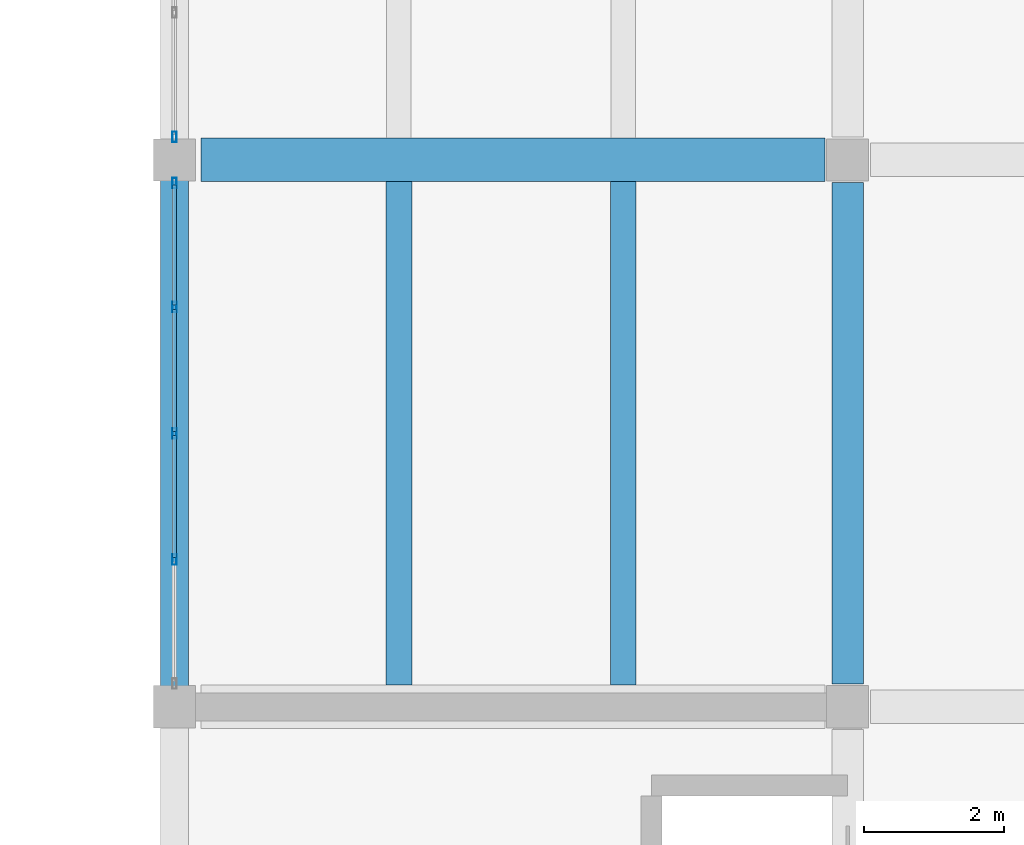
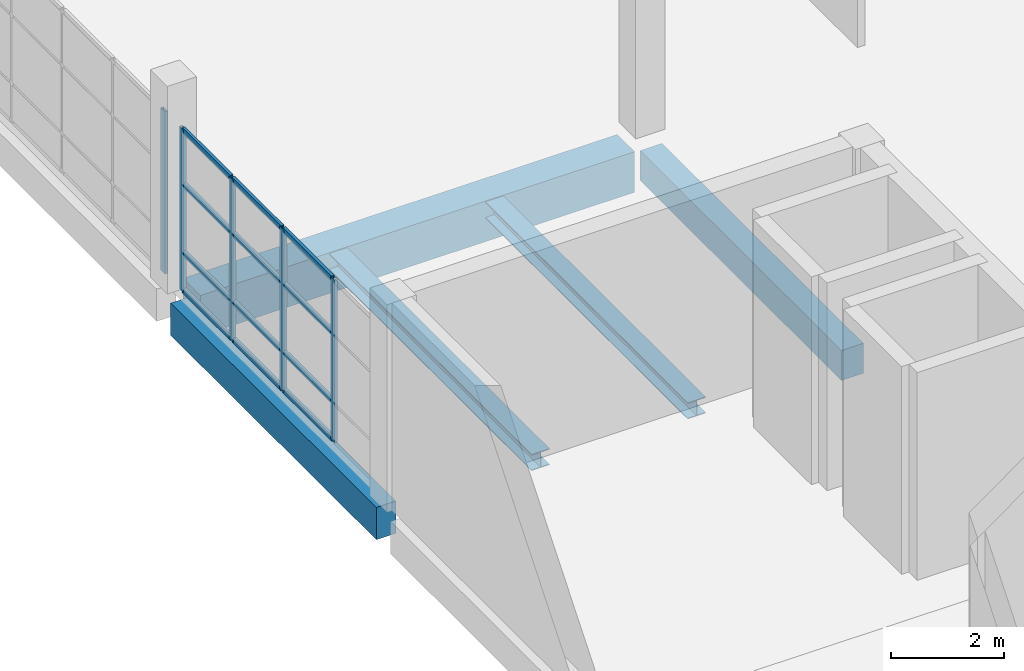
# One storey, part 25 of 71: 17 members, 5 beams, 2 elements without a shape of their own.
"""IFC4 building model written with IfcOpenShell, lengths in metres."""

from ifc_helpers import new_model, si_unit, direction, frame, origin, origin_2d, place, context, subcontext, project, spatial, rectangle, hollow_rectangle, i_section, extrude, material, material_profile, profile_set, type_object, element, aggregate, save


model = new_model("IFC4")

# Units and contexts
model_context = context("Model", 3, precision=1e-05, world=origin(), true_north=direction((0.0, 1.0)))
body_context = subcontext(model_context, "Body", "Model", "MODEL_VIEW")
ifc_project = project(units=[si_unit("LENGTHUNIT", "METRE"), si_unit("AREAUNIT", "SQUARE_METRE"), si_unit("VOLUMEUNIT", "CUBIC_METRE"), si_unit("PLANEANGLEUNIT", "RADIAN"), si_unit("MASSUNIT", "GRAM", prefix="KILO")], contexts=[model_context])

# Site, building, storey
site_placement = place(None, origin())
site = spatial("IfcSite", under=ifc_project, at=site_placement, CompositionType="ELEMENT")
building_placement = place(site_placement, origin())
building = spatial("IfcBuilding", under=site, at=building_placement, Name="Pellamere Symphony Hall", CompositionType="ELEMENT")
storey_placement = place(building_placement, frame((0.0, 0.0, 15.0)))
storey = spatial("IfcBuildingStorey", under=building, at=storey_placement, Name="L03", CompositionType="ELEMENT", Elevation=15.0)

# Curtain wall, members
ifc_material_1 = material(Name="Thermally Broken Anodised Aluminium 6063-T6 Curtain Wall", Category="aluminium")
curtain_wall_type = type_object("IfcCurtainWallType", Name="Curtain Wall CW-05 (Artists Wing North Studio Ribbon Curtain Wall)", PredefinedType="NOTDEFINED", material=ifc_material_1)
curtain_wall_1_placement = place(storey_placement, origin())
curtain_wall_1 = element("IfcCurtainWall", 1, at=curtain_wall_1_placement, inside=storey, type_object=curtain_wall_type, Name="Sculpture Court East Wing Curtain Wall (L03 Bay 1)", PredefinedType="NOTDEFINED")
ifc_material_2 = material(Name="Anodised Architectural Aluminium 6063-T6", Category="aluminium")
ifc_material_profile_1 = material_profile(ifc_material_2, hollow_rectangle(XDim=0.06005859375, YDim=0.14990234375, WallThickness=0.00390625, at=origin_2d()), Name="ALU-M60X150X4")
ifc_profile_set_1 = profile_set([ifc_material_profile_1], Name="Anodised Architectural Aluminium 6063-T6")
member_type_1 = type_object("IfcMemberType", Name="Curtain Wall Mullion ML-03 ALU-M60X150X4", PredefinedType="MULLION", material=ifc_profile_set_1)
member_1_placement = place(storey_placement, frame((138.0, 63.89990234375, 0.0), z_axis=(0.0, 0.0, 1.0), x_axis=(-1.0, 0.0, 0.0)))
member_1 = element("IfcMember", 2, at=member_1_placement, type_object=member_type_1, Name="CW5-142 crystal mullion 2", PredefinedType="MULLION", context=body_context, shape_type="SweptSolid", body=[
    extrude(hollow_rectangle(XDim=0.06005859375, YDim=0.14990234375, WallThickness=0.00390625, at=origin_2d()), origin(), (0.0, 0.0, 1.0), 3.52001953125),
])
member_2_placement = place(storey_placement, frame((138.0, 65.699951171875, 0.0), z_axis=(0.0, 0.0, 1.0), x_axis=(-1.0, 0.0, 0.0)))
member_2 = element("IfcMember", 3, at=member_2_placement, type_object=member_type_1, Name="CW5-142 crystal mullion 3", PredefinedType="MULLION", context=body_context, shape_type="SweptSolid", body=[
    extrude(hollow_rectangle(XDim=0.06005859375, YDim=0.14990234375, WallThickness=0.00390625, at=origin_2d()), origin(), (0.0, 0.0, 1.0), 3.52001953125),
])
member_3_placement = place(storey_placement, frame((138.0, 67.5, 0.0), z_axis=(0.0, 0.0, 1.0), x_axis=(-1.0, 0.0, 0.0)))
member_3 = element("IfcMember", 4, at=member_3_placement, type_object=member_type_1, Name="CW5-142 crystal mullion 4", PredefinedType="MULLION", context=body_context, shape_type="SweptSolid", body=[
    extrude(hollow_rectangle(XDim=0.06005859375, YDim=0.14990234375, WallThickness=0.00390625, at=origin_2d()), origin(), (0.0, 0.0, 1.0), 3.52001953125),
])
member_4_placement = place(storey_placement, frame((138.0, 69.27001953125, 0.0), z_axis=(0.0, 0.0, 1.0), x_axis=(-1.0, 0.0, 0.0)))
member_4 = element("IfcMember", 5, at=member_4_placement, type_object=member_type_1, Name="CW5-142 crystal mullion 5", PredefinedType="MULLION", context=body_context, shape_type="SweptSolid", body=[
    extrude(hollow_rectangle(XDim=0.06005859375, YDim=0.14990234375, WallThickness=0.00390625, at=origin_2d()), origin(), (0.0, 0.0, 1.0), 3.52001953125),
])

# Curtain wall, member
curtain_wall_2_placement = place(storey_placement, origin())
curtain_wall_2 = element("IfcCurtainWall", 6, at=curtain_wall_2_placement, inside=storey, type_object=curtain_wall_type, Name="Sculpture Court East Wing Curtain Wall (L03 Bay 2)", PredefinedType="NOTDEFINED")
member_5_placement = place(storey_placement, frame((138.0, 69.929931640625, 0.0), z_axis=(0.0, 0.0, 1.0), x_axis=(-1.0, 0.0, 0.0)))
member_5 = element("IfcMember", 7, at=member_5_placement, type_object=member_type_1, Name="CW5-143 crystal mullion 1", PredefinedType="MULLION", context=body_context, shape_type="SweptSolid", body=[
    extrude(hollow_rectangle(XDim=0.06005859375, YDim=0.14990234375, WallThickness=0.00390625, at=origin_2d()), origin(), (0.0, 0.0, 1.0), 3.52001953125),
])
aggregate(curtain_wall_2, [member_5])

# Member
ifc_material_profile_2 = material_profile(ifc_material_2, hollow_rectangle(XDim=0.06005859375, YDim=0.1201171875, WallThickness=0.00390625, at=origin_2d()), Name="ALU-T60X120X4")
ifc_profile_set_2 = profile_set([ifc_material_profile_2], Name="Anodised Architectural Aluminium 6063-T6")
member_type_2 = type_object("IfcMemberType", Name="Curtain Wall Transom TR-03 ALU-T60X120X4", PredefinedType="USERDEFINED", material=ifc_profile_set_2)
member_6_placement = place(storey_placement, frame((138.0, 63.929931640625, 0.030029296875), z_axis=(0.0, 1.0, 0.0), x_axis=(-1.0, 0.0, 0.0)))
member_6 = element("IfcMember", 8, at=member_6_placement, type_object=member_type_2, Name="CW5-142 crystal transom 2.1", ObjectType="TRANSOM", PredefinedType="USERDEFINED", context=body_context, shape_type="SweptSolid", body=[
    extrude(hollow_rectangle(XDim=0.06005859375, YDim=0.1201171875, WallThickness=0.00390625, at=origin_2d()), origin(), (0.0, 0.0, 1.0), 1.739990234375),
])

member_7_placement = place(storey_placement, frame((138.0, 63.929931640625, 0.8447265625), z_axis=(0.0, 1.0, 0.0), x_axis=(-1.0, 0.0, 0.0)))
member_7 = element("IfcMember", 9, at=member_7_placement, type_object=member_type_2, Name="CW5-142 crystal transom 2.2", ObjectType="TRANSOM", PredefinedType="USERDEFINED", context=body_context, shape_type="SweptSolid", body=[
    extrude(hollow_rectangle(XDim=0.06005859375, YDim=0.1201171875, WallThickness=0.00390625, at=origin_2d()), origin(), (0.0, 0.0, 1.0), 1.739990234375),
])

member_8_placement = place(storey_placement, frame((138.0, 63.929931640625, 2.3232421875), z_axis=(0.0, 1.0, 0.0), x_axis=(-1.0, 0.0, 0.0)))
member_8 = element("IfcMember", 10, at=member_8_placement, type_object=member_type_2, Name="CW5-142 crystal transom 2.3", ObjectType="TRANSOM", PredefinedType="USERDEFINED", context=body_context, shape_type="SweptSolid", body=[
    extrude(hollow_rectangle(XDim=0.06005859375, YDim=0.1201171875, WallThickness=0.00390625, at=origin_2d()), origin(), (0.0, 0.0, 1.0), 1.739990234375),
])

member_9_placement = place(storey_placement, frame((138.0, 63.929931640625, 3.489990234375), z_axis=(0.0, 1.0, 0.0), x_axis=(-1.0, 0.0, 0.0)))
member_9 = element("IfcMember", 11, at=member_9_placement, type_object=member_type_2, Name="CW5-142 crystal transom 2.4", ObjectType="TRANSOM", PredefinedType="USERDEFINED", context=body_context, shape_type="SweptSolid", body=[
    extrude(hollow_rectangle(XDim=0.06005859375, YDim=0.1201171875, WallThickness=0.00390625, at=origin_2d()), origin(), (0.0, 0.0, 1.0), 1.739990234375),
])

member_10_placement = place(storey_placement, frame((138.0, 65.72998046875, 0.030029296875), z_axis=(0.0, 1.0, 0.0), x_axis=(-1.0, 0.0, 0.0)))
member_10 = element("IfcMember", 12, at=member_10_placement, type_object=member_type_2, Name="CW5-142 crystal transom 3.1", ObjectType="TRANSOM", PredefinedType="USERDEFINED", context=body_context, shape_type="SweptSolid", body=[
    extrude(hollow_rectangle(XDim=0.06005859375, YDim=0.1201171875, WallThickness=0.00390625, at=origin_2d()), origin(), (0.0, 0.0, 1.0), 1.739990234375),
])

member_11_placement = place(storey_placement, frame((138.0, 65.72998046875, 0.8447265625), z_axis=(0.0, 1.0, 0.0), x_axis=(-1.0, 0.0, 0.0)))
member_11 = element("IfcMember", 13, at=member_11_placement, type_object=member_type_2, Name="CW5-142 crystal transom 3.2", ObjectType="TRANSOM", PredefinedType="USERDEFINED", context=body_context, shape_type="SweptSolid", body=[
    extrude(hollow_rectangle(XDim=0.06005859375, YDim=0.1201171875, WallThickness=0.00390625, at=origin_2d()), origin(), (0.0, 0.0, 1.0), 1.739990234375),
])

member_12_placement = place(storey_placement, frame((138.0, 65.72998046875, 2.3232421875), z_axis=(0.0, 1.0, 0.0), x_axis=(-1.0, 0.0, 0.0)))
member_12 = element("IfcMember", 14, at=member_12_placement, type_object=member_type_2, Name="CW5-142 crystal transom 3.3", ObjectType="TRANSOM", PredefinedType="USERDEFINED", context=body_context, shape_type="SweptSolid", body=[
    extrude(hollow_rectangle(XDim=0.06005859375, YDim=0.1201171875, WallThickness=0.00390625, at=origin_2d()), origin(), (0.0, 0.0, 1.0), 1.739990234375),
])

member_13_placement = place(storey_placement, frame((138.0, 65.72998046875, 3.489990234375), z_axis=(0.0, 1.0, 0.0), x_axis=(-1.0, 0.0, 0.0)))
member_13 = element("IfcMember", 15, at=member_13_placement, type_object=member_type_2, Name="CW5-142 crystal transom 3.4", ObjectType="TRANSOM", PredefinedType="USERDEFINED", context=body_context, shape_type="SweptSolid", body=[
    extrude(hollow_rectangle(XDim=0.06005859375, YDim=0.1201171875, WallThickness=0.00390625, at=origin_2d()), origin(), (0.0, 0.0, 1.0), 1.739990234375),
])

member_14_placement = place(storey_placement, frame((138.0, 67.530029296875, 0.030029296875), z_axis=(0.0, 1.0, 0.0), x_axis=(-1.0, 0.0, 0.0)))
member_14 = element("IfcMember", 16, at=member_14_placement, type_object=member_type_2, Name="CW5-142 crystal transom 4.1", ObjectType="TRANSOM", PredefinedType="USERDEFINED", context=body_context, shape_type="SweptSolid", body=[
    extrude(hollow_rectangle(XDim=0.06005859375, YDim=0.1201171875, WallThickness=0.00390625, at=origin_2d()), origin(), (0.0, 0.0, 1.0), 1.7099609375),
])

member_15_placement = place(storey_placement, frame((138.0, 67.530029296875, 0.8447265625), z_axis=(0.0, 1.0, 0.0), x_axis=(-1.0, 0.0, 0.0)))
member_15 = element("IfcMember", 17, at=member_15_placement, type_object=member_type_2, Name="CW5-142 crystal transom 4.2", ObjectType="TRANSOM", PredefinedType="USERDEFINED", context=body_context, shape_type="SweptSolid", body=[
    extrude(hollow_rectangle(XDim=0.06005859375, YDim=0.1201171875, WallThickness=0.00390625, at=origin_2d()), origin(), (0.0, 0.0, 1.0), 1.7099609375),
])

member_16_placement = place(storey_placement, frame((138.0, 67.530029296875, 2.3232421875), z_axis=(0.0, 1.0, 0.0), x_axis=(-1.0, 0.0, 0.0)))
member_16 = element("IfcMember", 18, at=member_16_placement, type_object=member_type_2, Name="CW5-142 crystal transom 4.3", ObjectType="TRANSOM", PredefinedType="USERDEFINED", context=body_context, shape_type="SweptSolid", body=[
    extrude(hollow_rectangle(XDim=0.06005859375, YDim=0.1201171875, WallThickness=0.00390625, at=origin_2d()), origin(), (0.0, 0.0, 1.0), 1.7099609375),
])

member_17_placement = place(storey_placement, frame((138.0, 67.530029296875, 3.489990234375), z_axis=(0.0, 1.0, 0.0), x_axis=(-1.0, 0.0, 0.0)))
member_17 = element("IfcMember", 19, at=member_17_placement, type_object=member_type_2, Name="CW5-142 crystal transom 4.4", ObjectType="TRANSOM", PredefinedType="USERDEFINED", context=body_context, shape_type="SweptSolid", body=[
    extrude(hollow_rectangle(XDim=0.06005859375, YDim=0.1201171875, WallThickness=0.00390625, at=origin_2d()), origin(), (0.0, 0.0, 1.0), 1.7099609375),
])

aggregate(curtain_wall_1, [member_1, member_2, member_3, member_4, member_6, member_7, member_8, member_9, member_10, member_11, member_12, member_13, member_14, member_15, member_16, member_17])

# Beams
ifc_material_3 = material(Name="Concrete 40 MPa", Category="concrete")
ifc_material_profile_3 = material_profile(ifc_material_3, rectangle(XDim=0.449951171875, YDim=0.64990234375, at=origin_2d()), Name="RC 450x650")
ifc_profile_set_3 = profile_set([ifc_material_profile_3], Name="Concrete 40 MPa")
beam_type_1 = type_object("IfcBeamType", Name="RC CB-08 450x650", PredefinedType="BEAM", material=ifc_profile_set_3)
beam_1_placement = place(storey_placement, frame((147.60009765625, 62.125, -0.5849609375), z_axis=(0.0, 1.0, 0.0), x_axis=(-1.0, 0.0, 0.0)))
element("IfcBeam", 20, at=beam_1_placement, inside=storey, type_object=beam_type_1, Name="Girder CB-08-Y1684 (L03)", PredefinedType="BEAM", context=body_context, shape_type="SweptSolid", body=[
    extrude(rectangle(XDim=0.449951171875, YDim=0.64990234375, at=origin_2d()), origin(), (0.0, 0.0, 1.0), 7.14990234375),
])
ifc_material_profile_4 = material_profile(ifc_material_3, rectangle(XDim=0.39990234375, YDim=0.699951171875, at=origin_2d()), Name="RC 400x700")
ifc_profile_set_4 = profile_set([ifc_material_profile_4], Name="Concrete 40 MPa")
beam_type_2 = type_object("IfcBeamType", Name="RC CB-13 400x700", PredefinedType="SPANDREL", material=ifc_profile_set_4)
beam_2_placement = place(storey_placement, frame((138.0, 62.050048828125, -0.610107421875), z_axis=(0.0, 1.0, 0.0), x_axis=(-1.0, 0.0, 0.0)))
element("IfcBeam", 21, at=beam_2_placement, inside=storey, type_object=beam_type_2, Name="Girder CB-13-Y1675 (L03)", PredefinedType="SPANDREL", context=body_context, shape_type="SweptSolid", body=[
    extrude(rectangle(XDim=0.39990234375, YDim=0.699951171875, at=origin_2d()), origin(), (0.0, 0.0, 1.0), 7.300048828125),
])
ifc_material_profile_5 = material_profile(ifc_material_3, rectangle(XDim=0.6201171875, YDim=0.8798828125, at=origin_2d()), Name="RC 620x880")
ifc_profile_set_5 = profile_set([ifc_material_profile_5], Name="Concrete 40 MPa")
beam_type_3 = type_object("IfcBeamType", Name="RC CB-17 620x880", PredefinedType="BEAM", material=ifc_profile_set_5)
beam_3_placement = place(storey_placement, frame((138.375, 69.60009765625, -0.699951171875), z_axis=(1.0, 0.0, 0.0), x_axis=(0.0, 1.0, 0.0)))
element("IfcBeam", 22, at=beam_3_placement, inside=storey, type_object=beam_type_3, Name="Girder CB-17-X1567 (L03)", PredefinedType="BEAM", context=body_context, shape_type="SweptSolid", body=[
    extrude(rectangle(XDim=0.6201171875, YDim=0.8798828125, at=origin_2d()), origin(), (0.0, 0.0, 1.0), 8.89990234375),
])
ifc_material_4 = material(Name="Steel CSA G40.21 350W", Category="steel")
ifc_material_profile_6 = material_profile(ifc_material_4, i_section(OverallWidth=0.368896484375, OverallDepth=0.35595703125, WebThickness=0.01123046875, FlangeThickness=0.01806640625, at=origin_2d()), Name="W360X134")
ifc_profile_set_6 = profile_set([ifc_material_profile_6], Name="Steel CSA G40.21 350W")
beam_type_4 = type_object("IfcBeamType", Name="Steel Beam SB-28 W360X134", PredefinedType="BEAM", material=ifc_profile_set_6)
for number, where, z_axis, x_axis, name in (
    (23, (141.199951171875, 62.110107421875, -0.452880859375), (0.0, 1.0, 0.0), (-1.0, 0.0, 0.0), "Secondary Floor Beam SB-28-A1708 (L03)"),
    (24, (144.39990234375, 62.110107421875, -0.452880859375), (0.0, 1.0, 0.0), (-1.0, 0.0, 0.0), "Secondary Floor Beam SB-28-B1708 (L03)"),
):
    element("IfcBeam", number, at=place(storey_placement, frame(where, z_axis=z_axis, x_axis=x_axis)), inside=storey, type_object=beam_type_4, Name=name, PredefinedType="BEAM", context=body_context, shape_type="SweptSolid", body=[
        extrude(i_section(OverallWidth=0.368896484375, OverallDepth=0.35595703125, WebThickness=0.01123046875, FlangeThickness=0.01806640625, at=origin_2d()), origin(), (0.0, 0.0, 1.0), 7.179931640625),
    ])

save(model, "model.ifc")
